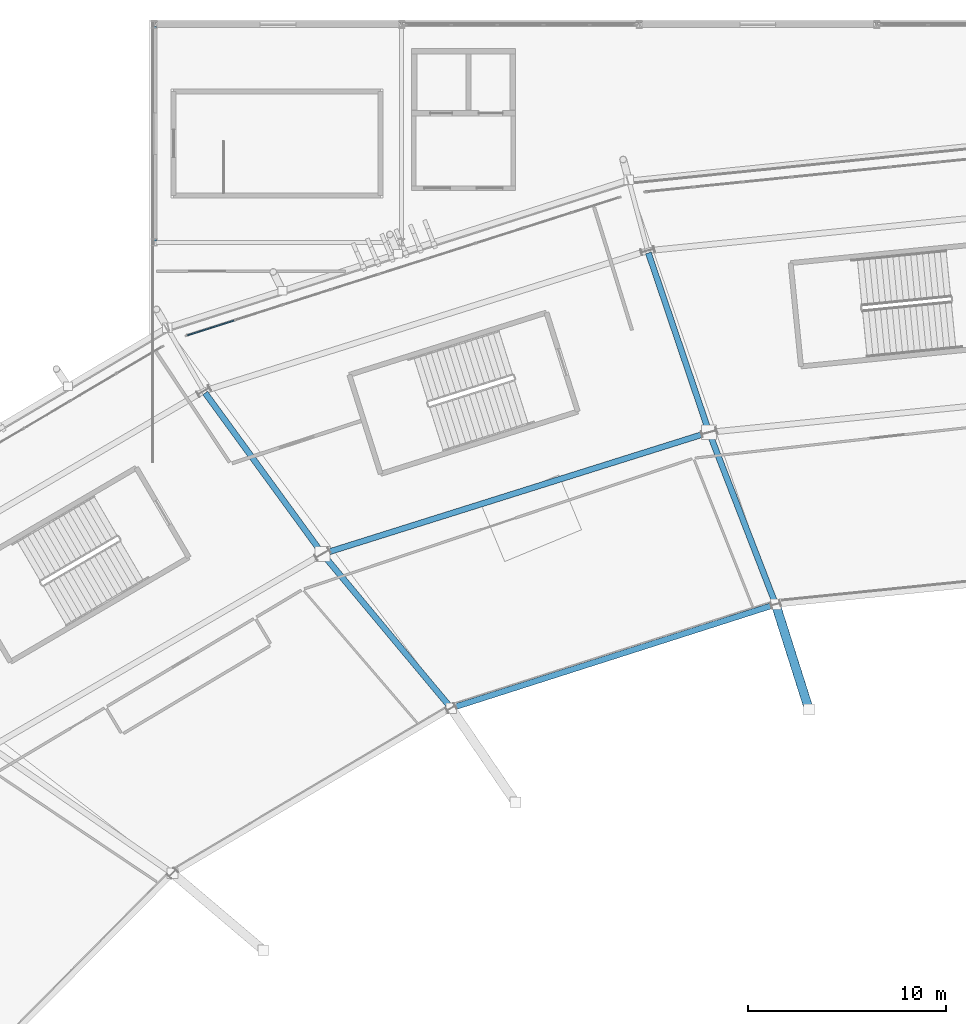
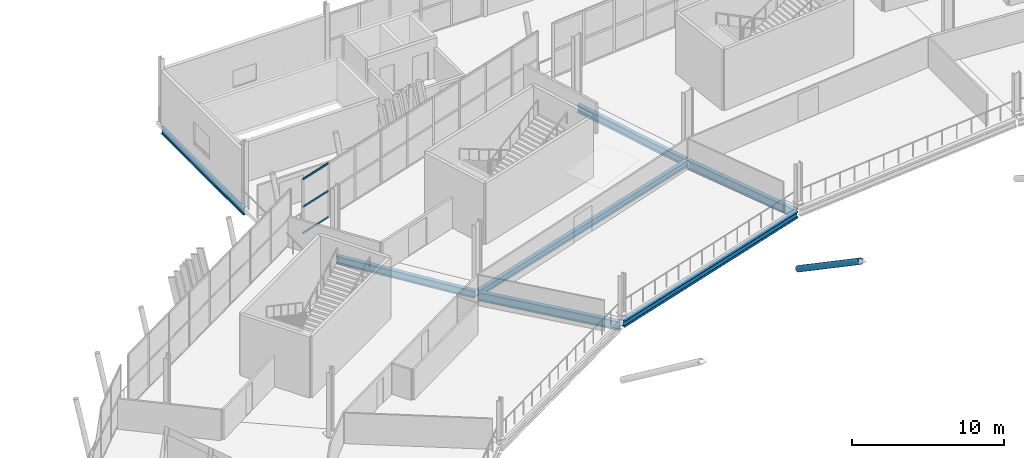
# One storey, part 66 of 168: 7 beams, 4 members, 1 element without a shape of its own.
"""IFC4 building model written with IfcOpenShell, lengths in metres."""

import ifcopenshell
import ifcopenshell.guid

model = None  # the IFC model being written
_history = None  # IfcOwnerHistory: only IFC2X3 demands one
_inside = {}  # id of a spatial element -> (the spatial element, [elements in it])
_under = {}  # id of a project, library or spatial element -> (it, [spatial elements below it])
_declared = {}  # id of a project -> (the project, [libraries it declares])
_typed = {}  # id of a type object -> (the type object, [elements of that type])
_made_of = {}  # id of a material, layer set ... -> (it, [elements and type objects made of it])


def new_model(schema):
    """Start an empty IFC model of exactly this schema.

    Asked for "IFC4X3", IfcOpenShell would pick the latest addendum, in which some entities
    have other attributes; the version numbers below select the first issue.
    IFC2X3 requires an IfcOwnerHistory on every rooted entity: one is made here for all.
    """
    global model, _history
    if schema == "IFC4X3":
        model = ifcopenshell.file(schema_version=(4, 3, 0, 0))
    else:
        model = ifcopenshell.file(schema=schema)
    _inside.clear()
    _under.clear()
    _declared.clear()
    _typed.clear()
    _made_of.clear()
    _history = None
    if model.schema == "IFC2X3":
        org = make("IfcOrganization", Name="unknown")
        user = make(
            "IfcPersonAndOrganization",
            ThePerson=make("IfcPerson", FamilyName="unknown"),
            TheOrganization=org,
        )
        app = make(
            "IfcApplication",
            ApplicationDeveloper=org,
            Version="unknown",
            ApplicationFullName="unknown",
            ApplicationIdentifier="unknown",
        )
        _history = make(
            "IfcOwnerHistory",
            OwningUser=user,
            OwningApplication=app,
            ChangeAction="ADDED",
            CreationDate=0,
        )
    return model


def make(cls, **values):
    """One entity of the class cls with the attributes given. An attribute that is None is left unset."""
    return model.create_entity(
        cls, **{name: value for name, value in values.items() if value is not None}
    )


def rooted(cls, **values):
    """An entity with a GlobalId (a new one), such as an element, a storey or a relation."""
    return make(cls, GlobalId=ifcopenshell.guid.new(), OwnerHistory=_history, **values)


def si_unit(unit_type, name, prefix=None):
    """IfcSIUnit, for example si_unit("LENGTHUNIT", "METRE", prefix="MILLI")."""
    return make("IfcSIUnit", UnitType=unit_type, Prefix=prefix, Name=name)


def assignment(units):
    """IfcUnitAssignment: the units of a project."""
    return None if units is None else make("IfcUnitAssignment", Units=units)


def point(xyz):
    """IfcCartesianPoint."""
    return None if xyz is None else make("IfcCartesianPoint", Coordinates=xyz)


def direction(xyz):
    """IfcDirection."""
    return None if xyz is None else make("IfcDirection", DirectionRatios=xyz)


def frame(location, z_axis=None, x_axis=None):
    """IfcAxis2Placement3D, a coordinate frame: its origin and axes. An axis left out is left unset."""
    return make(
        "IfcAxis2Placement3D",
        Location=point(location),
        Axis=direction(z_axis),
        RefDirection=direction(x_axis),
    )


def frame_2d(location, x_axis=None):
    """IfcAxis2Placement2D, a coordinate frame in the plane: its origin and x axis."""
    return make(
        "IfcAxis2Placement2D", Location=point(location), RefDirection=direction(x_axis)
    )


def origin():
    """The frame at (0, 0, 0) with its axes left unset."""
    return frame((0.0, 0.0, 0.0))


def origin_2d():
    """The frame at (0, 0) in the plane with its x axis left unset."""
    return frame_2d((0.0, 0.0))


def place(relative_to, where):
    """IfcLocalPlacement: puts the frame where relative to a parent placement (None: the world)."""
    return make(
        "IfcLocalPlacement", PlacementRelTo=relative_to, RelativePlacement=where
    )


def context(
    kind, dimensions, precision=None, world=None, true_north=None, identifier=None
):
    """IfcGeometricRepresentationContext, for example the 3D "Model" context."""
    return make(
        "IfcGeometricRepresentationContext",
        ContextIdentifier=identifier,
        ContextType=kind,
        CoordinateSpaceDimension=dimensions,
        Precision=precision,
        WorldCoordinateSystem=world,
        TrueNorth=true_north,
    )


def subcontext(parent, identifier, kind, view, scale=None):
    """IfcGeometricRepresentationSubContext, for example "Body" below "Model"."""
    return make(
        "IfcGeometricRepresentationSubContext",
        ContextIdentifier=identifier,
        ContextType=kind,
        ParentContext=parent,
        TargetScale=scale,
        TargetView=view,
    )


def project(units=None, contexts=None):
    """IfcProject with its units and contexts."""
    return rooted(
        "IfcProject",
        Name="project",
        RepresentationContexts=contexts,
        UnitsInContext=assignment(units),
    )


def spatial(cls, under=None, at=None, **own):
    """A site, building, storey or space (cls), placed at a placement, below another one or the project."""
    s = rooted(cls, ObjectPlacement=at, **own)
    if under is not None:
        _under.setdefault(under.id(), (under, []))[1].append(s)
    return s


def profile(cls, at=None, kind="AREA", **sizes):
    """A parametric profile (cls). Its sizes go by their IFC names, for example OverallWidth=200.0."""
    return make(cls, ProfileType=kind, Position=at, **sizes)


def rectangle(**sizes):
    """IfcRectangleProfileDef."""
    return profile("IfcRectangleProfileDef", **sizes)


def hollow_circle(**sizes):
    """IfcCircleHollowProfileDef."""
    return profile("IfcCircleHollowProfileDef", **sizes)


def i_section(**sizes):
    """IfcIShapeProfileDef."""
    return profile("IfcIShapeProfileDef", **sizes)


def extrude(swept, where, along, depth):
    """IfcExtrudedAreaSolid: the profile swept, set in the frame where, extruded along a direction by depth."""
    return make(
        "IfcExtrudedAreaSolid",
        SweptArea=swept,
        Position=where,
        ExtrudedDirection=direction(along),
        Depth=depth,
    )


def shape(context_of_items, identifier, shape_type, items):
    """IfcShapeRepresentation: the items that make up one representation, for example the "Body"."""
    return make(
        "IfcShapeRepresentation",
        ContextOfItems=context_of_items,
        RepresentationIdentifier=identifier,
        RepresentationType=shape_type,
        Items=items,
    )


def material(Name=None, Category=None):
    """IfcMaterial."""
    return make("IfcMaterial", Name=Name, Category=Category)


def material_profile(
    of_material, cross_section, Name=None, Category=None, Priority=None
):
    """IfcMaterialProfile: a cross section and its material."""
    return make(
        "IfcMaterialProfile",
        Name=Name,
        Material=of_material,
        Profile=cross_section,
        Priority=Priority,
        Category=Category,
    )


def profile_set(profiles, Name=None, composite=None):
    """IfcMaterialProfileSet."""
    return make(
        "IfcMaterialProfileSet",
        Name=Name,
        MaterialProfiles=profiles,
        CompositeProfile=composite,
    )


def made_of(thing, what):
    """Note that an element or type object is made of a material, layer set ...; save() writes the relation."""
    if what is not None:
        _made_of.setdefault(what.id(), (what, []))[1].append(thing)
    return thing


def type_object(cls, material=None, **own):
    """A type object (cls), such as IfcWallType, which elements share."""
    return made_of(rooted(cls, **own), material)


def element(
    cls,
    number,
    at=None,
    inside=None,
    cuts=None,
    type_object=None,
    material=None,
    context=None,
    identifier="Body",
    shape_type=None,
    held_by="IfcProductDefinitionShape",
    body=None,
    shapes=None,
    **own,
):
    """One element of the class cls, such as IfcWall. Its Tag is "e" and its number.

    at: its placement. inside: the storey or other place that contains it. cuts: it is an
    opening in that element (IfcRelVoidsElement). A single representation is given by context,
    identifier, shape_type and body (its items); several are given by shapes. held_by: the class
    of the entity that holds the representations. save() writes the other relations.
    """
    e = rooted(cls, Tag="e%d" % number, ObjectPlacement=at, **own)
    if body is not None:
        shapes = [shape(context, identifier, shape_type, body)]
    if shapes is not None:
        e.Representation = make(held_by, Representations=shapes)
    if inside is not None:
        _inside.setdefault(inside.id(), (inside, []))[1].append(e)
    if cuts is not None:
        rooted(
            "IfcRelVoidsElement", RelatingBuildingElement=cuts, RelatedOpeningElement=e
        )
    if type_object is not None:
        _typed.setdefault(type_object.id(), (type_object, []))[1].append(e)
    return made_of(e, material)


def aggregate(whole, parts):
    """IfcRelAggregates: a whole, such as a stair, and the parts it consists of."""
    return rooted("IfcRelAggregates", RelatingObject=whole, RelatedObjects=parts)


def save(model, path):
    """Write the relations noted so far, then the file.

    IfcRelAggregates (storeys below a building ...), IfcRelContainedInSpatialStructure (elements
    in a storey), IfcRelDefinesByType, IfcRelAssociatesMaterial and IfcRelDeclares: one each for
    every whole, place, type object, material and project.
    """
    for whole, parts in _under.values():
        aggregate(whole, parts)
    for where, things in _inside.values():
        rooted(
            "IfcRelContainedInSpatialStructure",
            RelatedElements=things,
            RelatingStructure=where,
        )
    for kind, things in _typed.values():
        rooted("IfcRelDefinesByType", RelatedObjects=things, RelatingType=kind)
    for what, things in _made_of.values():
        rooted("IfcRelAssociatesMaterial", RelatedObjects=things, RelatingMaterial=what)
    for by, libraries in _declared.values():
        rooted("IfcRelDeclares", RelatingContext=by, RelatedDefinitions=libraries)
    model.write(path)


model = new_model("IFC4")

# Units and contexts
model_context = context("Model", 3, precision=1e-05, world=origin(), true_north=direction((0.0, 1.0)))
body_context = subcontext(model_context, "Body", "Model", "MODEL_VIEW")
ifc_project = project(units=[si_unit("LENGTHUNIT", "METRE"), si_unit("AREAUNIT", "SQUARE_METRE"), si_unit("VOLUMEUNIT", "CUBIC_METRE"), si_unit("PLANEANGLEUNIT", "RADIAN"), si_unit("MASSUNIT", "GRAM", prefix="KILO")], contexts=[model_context])

# Site, building, storey
site_placement = place(None, origin())
site = spatial("IfcSite", under=ifc_project, at=site_placement, CompositionType="ELEMENT")
building_placement = place(site_placement, origin())
building = spatial("IfcBuilding", under=site, at=building_placement, Name="Zlatoyarsky Gate Stadium", CompositionType="ELEMENT")
storey_placement = place(building_placement, frame((0.0, 0.0, 15.60009765625)))
storey = spatial("IfcBuildingStorey", under=building, at=storey_placement, Name="L03", CompositionType="ELEMENT", Elevation=15.60009765625)

# Curtain wall, members
ifc_material_1 = material(Name="Thermally broken anodised aluminium curtain wall", Category="aluminium")
curtain_wall_type = type_object("IfcCurtainWallType", Name="UNITISED CORPORATE BOX GLAZING L03", PredefinedType="USERDEFINED", material=ifc_material_1)
curtain_wall_placement = place(storey_placement, origin())
curtain_wall = element("IfcCurtainWall", 1, at=curtain_wall_placement, inside=storey, type_object=curtain_wall_type, Name="Curtain wall CW-L03-07", ObjectType="UNITISED GLAZING", PredefinedType="USERDEFINED")
ifc_material_2 = material(Name="Anodised aluminium 6063-T6", Category="aluminium")
ifc_material_profile_1 = material_profile(ifc_material_2, rectangle(XDim=0.06494140625, YDim=0.139892578125, at=origin_2d()), Name="ALU 65X140")
ifc_profile_set_1 = profile_set([ifc_material_profile_1], Name="Anodised aluminium 6063-T6")
member_type_1 = type_object("IfcMemberType", Name="ALUMINIUM TRANSOM 65X140", PredefinedType="USERDEFINED", material=ifc_profile_set_1)
member_1_placement = place(storey_placement, frame((66.022216796875, 145.05322265625, 0.032470703125), z_axis=(-0.952599226387, -0.304228062294, 0.0), x_axis=(0.304228062294, -0.952599226387, 0.0)))
member_1 = element("IfcMember", 2, at=member_1_placement, type_object=member_type_1, Name="CW-UG3 transom 9.1", ObjectType="TRANSOM", PredefinedType="USERDEFINED", context=body_context, shape_type="SweptSolid", body=[
    extrude(rectangle(XDim=0.06494140625, YDim=0.139892578125, at=origin_2d()), origin(), (0.0, 0.0, 1.0), 2.458740234375),
])
member_2_placement = place(storey_placement, frame((66.022216796875, 145.05322265625, 2.14990234375), z_axis=(-0.952599226387, -0.304228062294, 0.0), x_axis=(0.304228062294, -0.952599226387, 0.0)))
member_2 = element("IfcMember", 3, at=member_2_placement, type_object=member_type_1, Name="CW-UG3 transom 9.2", ObjectType="TRANSOM", PredefinedType="USERDEFINED", context=body_context, shape_type="SweptSolid", body=[
    extrude(rectangle(XDim=0.06494140625, YDim=0.139892578125, at=origin_2d()), origin(), (0.0, 0.0, 1.0), 2.458740234375),
])
member_3_placement = place(storey_placement, frame((66.022216796875, 145.05322265625, 4.347412109375), z_axis=(-0.952599226387, -0.304228062294, 0.0), x_axis=(0.304228062294, -0.952599226387, 0.0)))
member_3 = element("IfcMember", 4, at=member_3_placement, type_object=member_type_1, Name="CW-UG3 transom 9.3", ObjectType="TRANSOM", PredefinedType="USERDEFINED", context=body_context, shape_type="SweptSolid", body=[
    extrude(rectangle(XDim=0.06494140625, YDim=0.139892578125, at=origin_2d()), origin(), (0.0, 0.0, 1.0), 2.458740234375),
])
aggregate(curtain_wall, [member_1, member_2, member_3])

# Member
ifc_material_3 = material(Name="Steel S355", Category="steel")
ifc_material_profile_2 = material_profile(ifc_material_3, hollow_circle(Radius=0.228515625, WallThickness=0.02490234375, at=origin_2d()), Name="CHS 457X25")
ifc_profile_set_2 = profile_set([ifc_material_profile_2], Name="Steel S355")
member_type_2 = type_object("IfcMemberType", Name="STEEL BACKSPAN TIE STRUT CHS 457X25", PredefinedType="STRUT", material=ifc_profile_set_2)
member_4_placement = place(storey_placement, frame((93.400390625, 130.711181640625, -5.0), z_axis=(0.260748778035, -0.823534711005, 0.503786318317), x_axis=(0.953354623254, 0.301852550628, 0.0)))
element("IfcMember", 5, at=member_4_placement, inside=storey, type_object=member_type_2, Name="Upper tier cantilever strut 07", PredefinedType="STRUT", context=body_context, shape_type="SweptSolid", body=[
    extrude(hollow_circle(Radius=0.228515625, WallThickness=0.02490234375, at=origin_2d()), origin(), (0.0, 0.0, 1.0), 6.451171875),
])

# Beams
ifc_material_profile_3 = material_profile(ifc_material_3, i_section(OverallWidth=0.2099609375, OverallDepth=0.550048828125, WebThickness=0.010986328125, FlangeThickness=0.01708984375, FilletRadius=0.02392578125, at=origin_2d()), Name="IPE 550")
ifc_profile_set_3 = profile_set([ifc_material_profile_3], Name="Steel S355")
beam_type_1 = type_object("IfcBeamType", Name="STEEL FLOOR BEAM IPE 550", PredefinedType="BEAM", material=ifc_profile_set_3)
beam_1_placement = place(storey_placement, frame((62.0, 149.080078125, -0.55517578125), z_axis=(0.0, 1.0, 0.0), x_axis=(-1.0, 0.0, 0.0)))
element("IfcBeam", 6, at=beam_1_placement, inside=storey, type_object=beam_type_1, Name="Beam B-IPE550 BM-L03-WGY-6-P", PredefinedType="BEAM", context=body_context, shape_type="SweptSolid", body=[
    extrude(i_section(OverallWidth=0.2099609375, OverallDepth=0.550048828125, WebThickness=0.010986328125, FlangeThickness=0.01708984375, FilletRadius=0.02392578125, at=origin_2d()), origin(), (0.0, 0.0, 1.0), 10.83984375),
])
ifc_material_profile_4 = material_profile(ifc_material_3, i_section(OverallWidth=0.300048828125, OverallDepth=0.5, WebThickness=0.014404296875, FlangeThickness=0.028076171875, FilletRadius=0.027099609375, at=origin_2d()), Name="HEB 500")
ifc_profile_set_4 = profile_set([ifc_material_profile_4], Name="Steel S355")
beam_type_2 = type_object("IfcBeamType", Name="STEEL PRIMARY GIRDER HEB 500", PredefinedType="BEAM", material=ifc_profile_set_4)
beam_2_placement = place(storey_placement, frame((93.285888671875, 130.674560546875, -0.530029296875), z_axis=(-0.952480396568, -0.304599891914, 0.0), x_axis=(0.304599891914, -0.952480396568, 0.0)))
element("IfcBeam", 7, at=beam_2_placement, inside=storey, type_object=beam_type_2, Name="Beam G-HEB500 BM-L03-CRA-07", PredefinedType="BEAM", context=body_context, shape_type="SweptSolid", body=[
    extrude(i_section(OverallWidth=0.300048828125, OverallDepth=0.5, WebThickness=0.014404296875, FlangeThickness=0.028076171875, FilletRadius=0.027099609375, at=origin_2d()), origin(), (0.0, 0.0, 1.0), 16.978515625),
])
beam_3_placement = place(storey_placement, frame((89.921142578125, 139.368408203125, -0.530029296875), z_axis=(-0.953937507984, -0.300005384719, 0.0), x_axis=(0.300005384719, -0.953937507984, 0.0)))
element("IfcBeam", 8, at=beam_3_placement, inside=storey, type_object=beam_type_2, Name="Beam G-HEB500 BM-L03-CRB-07", PredefinedType="BEAM", context=body_context, shape_type="SweptSolid", body=[
    extrude(i_section(OverallWidth=0.300048828125, OverallDepth=0.5, WebThickness=0.014404296875, FlangeThickness=0.028076171875, FilletRadius=0.027099609375, at=origin_2d()), origin(), (0.0, 0.0, 1.0), 20.239013671875),
])
ifc_material_profile_5 = material_profile(ifc_material_3, i_section(OverallWidth=0.300048828125, OverallDepth=0.60009765625, WebThickness=0.015380859375, FlangeThickness=0.030029296875, FilletRadius=0.027099609375, at=origin_2d()), Name="HEB 600")
ifc_profile_set_5 = profile_set([ifc_material_profile_5], Name="Steel S355")
beam_type_3 = type_object("IfcBeamType", Name="STEEL PRIMARY GIRDER HEB 600", PredefinedType="BEAM", material=ifc_profile_set_5)
beam_4_placement = place(storey_placement, frame((89.997314453125, 139.51806640625, -0.580078125), z_axis=(-0.320612225581, 0.947210536686, 0.0), x_axis=(-0.947210536686, -0.320612225581, 0.0)))
element("IfcBeam", 9, at=beam_4_placement, inside=storey, type_object=beam_type_3, Name="Beam G-HEB600 BM-L03-RBC-07", PredefinedType="BEAM", context=body_context, shape_type="SweptSolid", body=[
    extrude(i_section(OverallWidth=0.300048828125, OverallDepth=0.60009765625, WebThickness=0.015380859375, FlangeThickness=0.030029296875, FilletRadius=0.027099609375, at=origin_2d()), origin(), (0.0, 0.0, 1.0), 9.44775390625),
])
beam_5_placement = place(storey_placement, frame((70.42919921875, 133.357666015625, -0.580078125), z_axis=(-0.589228266457, 0.807966614415, 0.0), x_axis=(-0.807966614415, -0.589228266457, 0.0)))
element("IfcBeam", 10, at=beam_5_placement, inside=storey, type_object=beam_type_3, Name="Beam G-HEB600 BM-L03-RBC-08", PredefinedType="BEAM", context=body_context, shape_type="SweptSolid", body=[
    extrude(i_section(OverallWidth=0.300048828125, OverallDepth=0.60009765625, WebThickness=0.015380859375, FlangeThickness=0.030029296875, FilletRadius=0.027099609375, at=origin_2d()), origin(), (0.0, 0.0, 1.0), 9.9423828125),
])
ifc_material_profile_6 = material_profile(ifc_material_3, i_section(OverallWidth=0.300048828125, OverallDepth=0.699951171875, WebThickness=0.01708984375, FlangeThickness=0.031982421875, FilletRadius=0.027099609375, at=origin_2d()), Name="HEB 700")
ifc_profile_set_6 = profile_set([ifc_material_profile_6], Name="Steel S355")
beam_type_4 = type_object("IfcBeamType", Name="STEEL PRIMARY GIRDER HEB 700", PredefinedType="BEAM", material=ifc_profile_set_6)
beam_6_placement = place(storey_placement, frame((93.35693359375, 130.822998046875, -0.630126953125), z_axis=(-0.36092924223, 0.932593202904, 0.0), x_axis=(-0.932593202904, -0.36092924223, 0.0)))
element("IfcBeam", 11, at=beam_6_placement, inside=storey, type_object=beam_type_4, Name="Beam G-HEB700 BM-L03-RAB-07", PredefinedType="BEAM", context=body_context, shape_type="SweptSolid", body=[
    extrude(i_section(OverallWidth=0.300048828125, OverallDepth=0.699951171875, WebThickness=0.01708984375, FlangeThickness=0.031982421875, FilletRadius=0.027099609375, at=origin_2d()), origin(), (0.0, 0.0, 1.0), 9.08154296875),
])
beam_7_placement = place(storey_placement, frame((76.923095703125, 125.55859375, -0.630126953125), z_axis=(-0.640460635814, 0.767990998627, 0.0), x_axis=(-0.767990998627, -0.640460635814, 0.0)))
element("IfcBeam", 12, at=beam_7_placement, inside=storey, type_object=beam_type_4, Name="Beam G-HEB700 BM-L03-RAB-08", PredefinedType="BEAM", context=body_context, shape_type="SweptSolid", body=[
    extrude(i_section(OverallWidth=0.300048828125, OverallDepth=0.699951171875, WebThickness=0.01708984375, FlangeThickness=0.031982421875, FilletRadius=0.027099609375, at=origin_2d()), origin(), (0.0, 0.0, 1.0), 9.90869140625),
])

save(model, "model.ifc")
